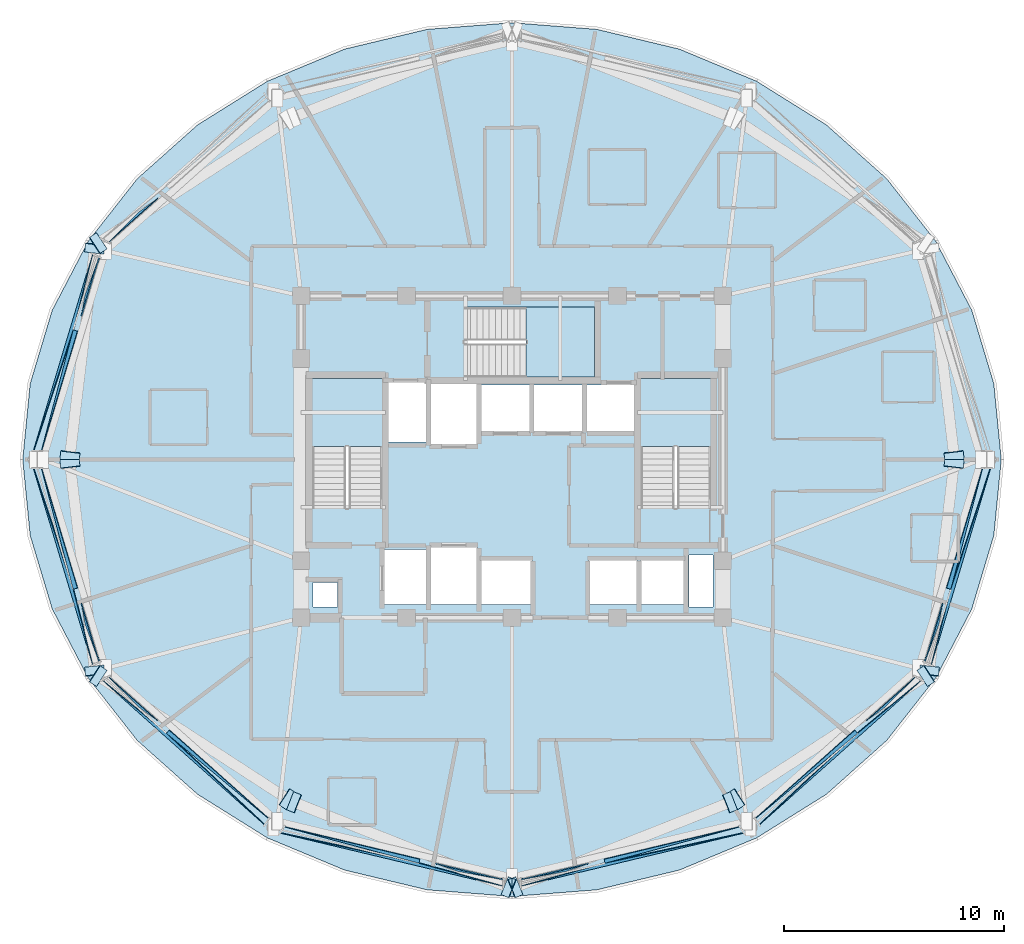
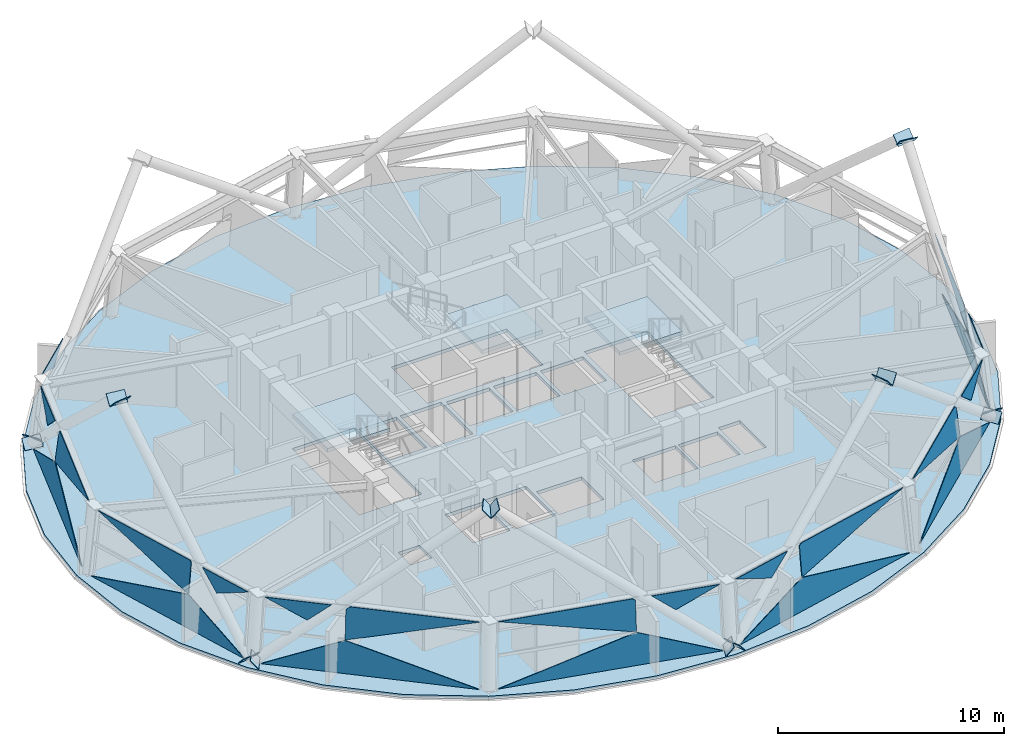
# One storey, part 3 of 12: 38 plates, 4 slabs, 11 elements without a shape of their own.
"""IFC4 building model written with IfcOpenShell, lengths in metres."""

from ifc_helpers import new_model, si_unit, direction, frame, origin, place, context, subcontext, project, spatial, polyline, outline, extrude, material, layer, layer_set, type_object, element, aggregate, save


model = new_model("IFC4")

# Units and contexts
model_context = context("Model", 3, precision=1e-05, world=origin(), true_north=direction((0.0, 1.0)))
body_context = subcontext(model_context, "Body", "Model", "MODEL_VIEW")
ifc_project = project(units=[si_unit("LENGTHUNIT", "METRE"), si_unit("AREAUNIT", "SQUARE_METRE"), si_unit("VOLUMEUNIT", "CUBIC_METRE"), si_unit("PLANEANGLEUNIT", "RADIAN"), si_unit("MASSUNIT", "GRAM", prefix="KILO")], contexts=[model_context])

# Site, building, storey
site_placement = place(None, origin())
site = spatial("IfcSite", under=ifc_project, at=site_placement, CompositionType="ELEMENT")
building_placement = place(site_placement, origin())
building = spatial("IfcBuilding", under=site, at=building_placement, Name="Vantalir Tower", CompositionType="ELEMENT")
storey_placement = place(building_placement, frame((0.0, 0.0, 249.89990234375)))
storey = spatial("IfcBuildingStorey", under=building, at=storey_placement, Name="L63", CompositionType="ELEMENT", Elevation=249.89990234375)

# Curtain wall, plate
ifc_material_1 = material(Name="Champagne-silver PVDF aluminium and double-silver Low-E glass", Category="aluminium")
ifc_layer_1 = layer(ifc_material_1, 0.2099609375)
ifc_layer_set_1 = layer_set([ifc_layer_1], Name="Champagne-silver PVDF aluminium and double-silver Low-E glass")
curtain_wall_type = type_object("IfcCurtainWallType", Name="CW-DIAMOND-Z3", PredefinedType="USERDEFINED", material=ifc_layer_set_1)
curtain_wall_1_placement = place(storey_placement, origin())
curtain_wall_1 = element("IfcCurtainWall", 1, at=curtain_wall_1_placement, inside=storey, type_object=curtain_wall_type, Name="L63 Quilted Pyramid-Diamond Curtain Wall S05", ObjectType="UNITISED CURTAIN WALL", PredefinedType="USERDEFINED")
ifc_material_2 = material(Name="Double-silver Low-E acoustic glass IGU", Category="glass")
ifc_layer_2 = layer(ifc_material_2, 0.031982421875)
ifc_layer_set_2 = layer_set([ifc_layer_2], Name="Double-silver Low-E acoustic glass IGU")
plate_type_1 = type_object("IfcPlateType", Name="CWP-IGU-32", PredefinedType="CURTAIN_PANEL", material=ifc_layer_set_2)
plate_1_placement = place(storey_placement, frame((15.381103515625, 36.904052734375, 3.457275390625), z_axis=(-0.66110275605, 0.741983208116, 0.111373537326), x_axis=(-0.746628270205, -0.665241479562, 0.0)))
plate_1 = element("IfcPlate", 2, at=plate_1_placement, type_object=plate_type_1, Name="CW-L63-S05 Pyramid Diamond Facet 2U Infill Light", PredefinedType="CURTAIN_PANEL", context=body_context, shape_type="SweptSolid", body=[
    extrude(outline(polyline([(0.0, 0.0), (3.002757126727058, 0.0), (1.060435821909652, -0.9028336729487632), (0.0, 0.0)])), origin(), (0.0, 0.0, -1.0), 0.031982421875),
])
aggregate(curtain_wall_1, [plate_1])

# Curtain wall, plates
curtain_wall_2_placement = place(storey_placement, origin())
curtain_wall_2 = element("IfcCurtainWall", 3, at=curtain_wall_2_placement, inside=storey, type_object=curtain_wall_type, Name="L63 Quilted Pyramid-Diamond Curtain Wall S06", ObjectType="UNITISED CURTAIN WALL", PredefinedType="USERDEFINED")
plate_2_placement = place(storey_placement, frame((12.40478515625, 34.35400390625, 0.047119140625), z_axis=(-0.953854313041, 0.286801968959, 0.08891895239), x_axis=(-0.287944782305, -0.95764701308, -2.6131662e-05)))
plate_2 = element("IfcPlate", 4, at=plate_2_placement, type_object=plate_type_1, Name="CW-L63-S06 Pyramid Diamond Facet 1L", PredefinedType="CURTAIN_PANEL", context=body_context, shape_type="SweptSolid", body=[
    extrude(outline(polyline([(0.0, 0.0), (9.342713298506363, -4.0115480381963664e-18), (3.5550676247993303, 1.6972456074696152), (0.0, 0.0)])), origin(), (0.0, 0.0, -1.0), 0.031982421875),
])
plate_3_placement = place(storey_placement, frame((11.69091796875, 30.7568359375, 3.453125), z_axis=(-0.951113267176, 0.285986994839, 0.116597563374), x_axis=(-0.287946222216, -0.957646579525, 4.2841491e-05)))
plate_3 = element("IfcPlate", 5, at=plate_3_placement, type_object=plate_type_1, Name="CW-L63-S06 Pyramid Diamond Facet 2U", PredefinedType="CURTAIN_PANEL", context=body_context, shape_type="SweptSolid", body=[
    extrude(outline(polyline([(0.0, 0.0), (5.5864714839249086, -3.865180744910823e-17), (-0.09540370381779475, -1.7020347678303864), (-0.09531226683348373, -0.0880033176376334), (0.0, 0.0)])), origin(), (0.0, 0.0, -1.0), 0.031982421875),
])
plate_4_placement = place(storey_placement, frame((12.689208984375, 34.200439453125, 3.457275390625), z_axis=(-0.951086805979, 0.285981361136, 0.116827002764), x_axis=(-0.28795318389, -0.957644487212, 0.0)))
plate_4 = element("IfcPlate", 6, at=plate_4_placement, type_object=plate_type_1, Name="CW-L63-S06 Pyramid Diamond Facet 2U Infill Light", PredefinedType="CURTAIN_PANEL", context=body_context, shape_type="SweptSolid", body=[
    extrude(outline(polyline([(0.0, 0.0), (2.7750075718200757, 0.0), (1.8161941923853795, -0.8857037229028175), (0.0, 0.0)])), origin(), (0.0, 0.0, -1.0), 0.031982421875),
])
aggregate(curtain_wall_2, [plate_2, plate_3, plate_4])

curtain_wall_3_placement = place(storey_placement, origin())
curtain_wall_3 = element("IfcCurtainWall", 7, at=curtain_wall_3_placement, inside=storey, type_object=curtain_wall_type, Name="L63 Quilted Pyramid-Diamond Curtain Wall S07", ObjectType="UNITISED CURTAIN WALL", PredefinedType="USERDEFINED")
plate_5_placement = place(storey_placement, frame((9.714599609375, 24.593017578125, 0.046875), z_axis=(-0.953857751116, -0.286771700087, 0.088979675571), x_axis=(0.287915961893, -0.957655678313, 2.6129046e-05)))
plate_5 = element("IfcPlate", 8, at=plate_5_placement, type_object=plate_type_1, Name="CW-L63-S07 Pyramid Diamond Facet 1L", PredefinedType="CURTAIN_PANEL", context=body_context, shape_type="SweptSolid", body=[
    extrude(outline(polyline([(0.0, 0.0), (9.343648504898855, -4.637674792806745e-17), (5.787874927480725, 1.6972548570963364), (0.0, 0.0)])), origin(), (0.0, 0.0, -1.0), 0.031982421875),
])
plate_6_placement = place(storey_placement, frame((10.082275390625, 24.593017578125, 3.453369140625), z_axis=(-0.951090462744, -0.286006977973, 0.116734486028), x_axis=(0.287970881119, -0.957639164665, -4.3902146e-05)))
plate_6 = element("IfcPlate", 9, at=plate_6_placement, type_object=plate_type_1, Name="CW-L63-S07 Pyramid Diamond Facet 2U", PredefinedType="CURTAIN_PANEL", context=body_context, shape_type="SweptSolid", body=[
    extrude(outline(polyline([(0.0, 0.0), (5.587009385768637, 1.054386612742153e-17), (5.682087670656996, -0.08775284023588353), (5.682339467035578, -1.7020622333518582), (0.0, 0.0)])), origin(), (0.0, 0.0, -1.0), 0.031982421875),
])
plate_7_placement = place(storey_placement, frame((11.89013671875, 18.456298828125, 3.457275390625), z_axis=(-0.951094038539, -0.286062377149, 0.116569491011), x_axis=(0.288025983349, -0.957622594197, 0.0)))
plate_7 = element("IfcPlate", 10, at=plate_7_placement, type_object=plate_type_1, Name="CW-L63-S07 Pyramid Diamond Facet 2U Infill Light", PredefinedType="CURTAIN_PANEL", context=body_context, shape_type="SweptSolid", body=[
    extrude(outline(polyline([(0.0, 0.0), (2.774306180065617, -1.3877787807814457e-17), (0.9586420348101915, -0.8856767394003059), (0.0, 0.0)])), origin(), (0.0, 0.0, -1.0), 0.031982421875),
])
aggregate(curtain_wall_3, [plate_5, plate_6, plate_7])

curtain_wall_4_placement = place(storey_placement, origin())
curtain_wall_4 = element("IfcCurtainWall", 11, at=curtain_wall_4_placement, inside=storey, type_object=curtain_wall_type, Name="L63 Quilted Pyramid-Diamond Curtain Wall S08", ObjectType="UNITISED CURTAIN WALL", PredefinedType="USERDEFINED")
plate_8_placement = place(storey_placement, frame((12.84423828125, 14.95556640625, 0.046875), z_axis=(-0.662892854323, -0.743965135266, 0.084195850233), x_axis=(0.746614813363, -0.665256581973, -2.4683929e-05)))
plate_8 = element("IfcPlate", 12, at=plate_8_placement, type_object=plate_type_1, Name="CW-L63-S08 Pyramid Diamond Facet 1L", PredefinedType="CURTAIN_PANEL", context=body_context, shape_type="SweptSolid", body=[
    extrude(outline(polyline([(0.0, 0.0), (9.89067100224938, -7.291259609965017e-17), (3.7890848977774465, 1.6970372956950805), (0.0, 0.0)])), origin(), (0.0, 0.0, -1.0), 0.031982421875),
])
plate_9_placement = place(storey_placement, frame((16.03759765625, 12.558837890625, 3.453369140625), z_axis=(-0.661105093077, -0.741968711433, 0.111456211859), x_axis=(0.746620642567, -0.66525004028, -5.1766e-08)))
plate_9 = element("IfcPlate", 13, at=plate_9_placement, type_object=plate_type_1, Name="CW-L63-S08 Pyramid Diamond Facet 2U", PredefinedType="CURTAIN_PANEL", context=body_context, shape_type="SweptSolid", body=[
    extrude(outline(polyline([(0.0, 0.0), (5.859738600574939, -1.6653345369377348e-16), (-0.1893847322004912, -1.701765229694908), (-0.18934521439034127, -0.16116069971162253), (0.0, 0.0)])), origin(), (0.0, 0.0, -1.0), 0.031982421875),
])
plate_10_placement = place(storey_placement, frame((13.13916015625, 15.093505859375, 3.457275390625), z_axis=(-0.661094452073, -0.74196400438, 0.111550623677), x_axis=(0.746623868663, -0.665246419564, 0.0)))
plate_10 = element("IfcPlate", 14, at=plate_10_placement, type_object=plate_type_1, Name="CW-L63-S08 Pyramid Diamond Facet 2U Infill Light", PredefinedType="CURTAIN_PANEL", context=body_context, shape_type="SweptSolid", body=[
    extrude(outline(polyline([(0.0, 0.0), (3.0031018215559184, 0.0), (1.9428290786402413, -0.9030973917536178), (0.0, 0.0)])), origin(), (0.0, 0.0, -1.0), 0.031982421875),
])
aggregate(curtain_wall_4, [plate_8, plate_9, plate_10])

curtain_wall_5_placement = place(storey_placement, origin())
curtain_wall_5 = element("IfcCurtainWall", 15, at=curtain_wall_5_placement, inside=storey, type_object=curtain_wall_type, Name="L63 Quilted Pyramid-Diamond Curtain Wall S09", ObjectType="UNITISED CURTAIN WALL", PredefinedType="USERDEFINED")
plate_11_placement = place(storey_placement, frame((20.959228515625, 7.994384765625, 0.046630859375), z_axis=(-0.231537011149, -0.969567811656, 0.079554202078), x_axis=(0.97265102148, -0.232271371168, 2.3447544e-05)))
plate_11 = element("IfcPlate", 16, at=plate_11_placement, type_object=plate_type_1, Name="CW-L63-S09 Pyramid Diamond Facet 1L", PredefinedType="CURTAIN_PANEL", context=body_context, shape_type="SweptSolid", body=[
    extrude(outline(polyline([(0.0, 0.0), (10.41220456525102, -3.0113715340784886e-17), (6.44826400917512, 1.6966324602909038), (0.0, 0.0)])), origin(), (0.0, 0.0, -1.0), 0.031982421875),
])
plate_12_placement = place(storey_placement, frame((21.143310546875, 8.279052734375, 3.45361328125), z_axis=(-0.230927583598, -0.967033833025, 0.107322024386), x_axis=(0.972650567383, -0.232273270501, -3.9748322e-05)))
plate_12 = element("IfcPlate", 17, at=plate_12_placement, type_object=plate_type_1, Name="CW-L63-S09 Pyramid Diamond Facet 2U", PredefinedType="CURTAIN_PANEL", context=body_context, shape_type="SweptSolid", body=[
    extrude(outline(polyline([(0.0, 0.0), (6.224441190826068, 1.3552527156068805e-19), (6.335489107151419, -0.09232241608423492), (6.335623313282104, -1.7009820325009355), (0.0, 0.0)])), origin(), (0.0, 0.0, -1.0), 0.031982421875),
])
plate_13_placement = place(storey_placement, frame((28.025390625, 6.598876953125, 3.457275390625), z_axis=(-0.230986073749, -0.967017359301, 0.107344587868), x_axis=(0.972637378319, -0.232328496524, 0.0)))
plate_13 = element("IfcPlate", 18, at=plate_13_placement, type_object=plate_type_1, Name="CW-L63-S09 Pyramid Diamond Facet 2U Infill Light", PredefinedType="CURTAIN_PANEL", context=body_context, shape_type="SweptSolid", body=[
    extrude(outline(polyline([(0.0, 0.0), (3.1388661218247003, 0.0), (1.081335859637997, -0.9002211201754972), (0.0, 0.0)])), origin(), (0.0, 0.0, -1.0), 0.031982421875),
])
aggregate(curtain_wall_5, [plate_11, plate_12, plate_13])

curtain_wall_6_placement = place(storey_placement, origin())
curtain_wall_6 = element("IfcCurtainWall", 19, at=curtain_wall_6_placement, inside=storey, type_object=curtain_wall_type, Name="L63 Quilted Pyramid-Diamond Curtain Wall S10", ObjectType="UNITISED CURTAIN WALL", PredefinedType="USERDEFINED")
plate_14_placement = place(storey_placement, frame((31.913330078125, 5.575927734375, 0.046875), z_axis=(0.231537011149, -0.969567811656, 0.079554202078), x_axis=(0.97265102148, 0.232271371168, -2.3447544e-05)))
plate_14 = element("IfcPlate", 20, at=plate_14_placement, type_object=plate_type_1, Name="CW-L63-S10 Pyramid Diamond Facet 1L", PredefinedType="CURTAIN_PANEL", context=body_context, shape_type="SweptSolid", body=[
    extrude(outline(polyline([(0.0, 0.0), (10.41220456525102, 3.0113715340784886e-17), (3.9639405560758996, 1.696632460290904), (0.0, 0.0)])), origin(), (0.0, 0.0, -1.0), 0.031982421875),
])
plate_15_placement = place(storey_placement, frame((35.802490234375, 6.833251953125, 3.453369140625), z_axis=(0.230927583598, -0.967033833025, 0.107322024386), x_axis=(0.972650567383, 0.232273270501, 3.9748322e-05)))
plate_15 = element("IfcPlate", 21, at=plate_15_placement, type_object=plate_type_1, Name="CW-L63-S10 Pyramid Diamond Facet 2U", PredefinedType="CURTAIN_PANEL", context=body_context, shape_type="SweptSolid", body=[
    extrude(outline(polyline([(0.0, 0.0), (6.224441190826068, -1.3552527156068805e-19), (-0.11118212245603659, -1.7009820325009355), (-0.11104791632535135, -0.09232241608423494), (0.0, 0.0)])), origin(), (0.0, 0.0, -1.0), 0.031982421875),
])
plate_16_placement = place(storey_placement, frame((31.921630859375, 5.86962890625, 3.457275390625), z_axis=(0.230986073749, -0.967017359301, 0.107344587868), x_axis=(0.972637378319, 0.232328496524, 0.0)))
plate_16 = element("IfcPlate", 22, at=plate_16_placement, type_object=plate_type_1, Name="CW-L63-S10 Pyramid Diamond Facet 2U Infill Light", PredefinedType="CURTAIN_PANEL", context=body_context, shape_type="SweptSolid", body=[
    extrude(outline(polyline([(0.0, 0.0), (3.1388661218247003, 0.0), (2.057530262186703, -0.9002211201754972), (0.0, 0.0)])), origin(), (0.0, 0.0, -1.0), 0.031982421875),
])
aggregate(curtain_wall_6, [plate_14, plate_15, plate_16])

curtain_wall_7_placement = place(storey_placement, origin())
curtain_wall_7 = element("IfcCurtainWall", 23, at=curtain_wall_7_placement, inside=storey, type_object=curtain_wall_type, Name="L63 Quilted Pyramid-Diamond Curtain Wall S11", ObjectType="UNITISED CURTAIN WALL", PredefinedType="USERDEFINED")
plate_17_placement = place(storey_placement, frame((42.771240234375, 8.375732421875, 0.046630859375), z_axis=(0.662892854323, -0.743965135266, 0.084195850233), x_axis=(0.746614813363, 0.665256581973, 2.4683929e-05)))
plate_17 = element("IfcPlate", 24, at=plate_17_placement, type_object=plate_type_1, Name="CW-L63-S11 Pyramid Diamond Facet 1L", PredefinedType="CURTAIN_PANEL", context=body_context, shape_type="SweptSolid", body=[
    extrude(outline(polyline([(0.0, 0.0), (9.89067100224938, 7.291259609965017e-17), (6.101586104471935, 1.6970372956950808), (0.0, 0.0)])), origin(), (0.0, 0.0, -1.0), 0.031982421875),
])
plate_18_placement = place(storey_placement, frame((42.58740234375, 8.66064453125, 3.453369140625), z_axis=(0.661105093077, -0.741968711433, 0.111456211859), x_axis=(0.746620642567, 0.66525004028, 5.1766e-08)))
plate_18 = element("IfcPlate", 25, at=plate_18_placement, type_object=plate_type_1, Name="CW-L63-S11 Pyramid Diamond Facet 2U", PredefinedType="CURTAIN_PANEL", context=body_context, shape_type="SweptSolid", body=[
    extrude(outline(polyline([(0.0, 0.0), (5.859738600574939, 1.6653345369377348e-16), (6.049083814965281, -0.1611606997116224), (6.04912333277543, -1.7017652296949077), (0.0, 0.0)])), origin(), (0.0, 0.0, -1.0), 0.031982421875),
])
plate_19_placement = place(storey_placement, frame((47.61865234375, 13.095703125, 3.457275390625), z_axis=(0.661094452073, -0.74196400438, 0.111550623677), x_axis=(0.746623868663, 0.665246419564, 0.0)))
plate_19 = element("IfcPlate", 26, at=plate_19_placement, type_object=plate_type_1, Name="CW-L63-S11 Pyramid Diamond Facet 2U Infill Light", PredefinedType="CURTAIN_PANEL", context=body_context, shape_type="SweptSolid", body=[
    extrude(outline(polyline([(0.0, 0.0), (3.0031018215559184, 0.0), (1.0602727429156773, -0.9030973917536178), (0.0, 0.0)])), origin(), (0.0, 0.0, -1.0), 0.031982421875),
])
aggregate(curtain_wall_7, [plate_17, plate_18, plate_19])

curtain_wall_8_placement = place(storey_placement, origin())
curtain_wall_8 = element("IfcCurtainWall", 27, at=curtain_wall_8_placement, inside=storey, type_object=curtain_wall_type, Name="L63 Quilted Pyramid-Diamond Curtain Wall S12", ObjectType="UNITISED CURTAIN WALL", PredefinedType="USERDEFINED")
plate_20_placement = place(storey_placement, frame((50.59521484375, 15.64501953125, 0.047119140625), z_axis=(0.953857751116, -0.286771700087, 0.088979675571), x_axis=(0.287915961893, 0.957655678313, -2.6129046e-05)))
plate_20 = element("IfcPlate", 28, at=plate_20_placement, type_object=plate_type_1, Name="CW-L63-S12 Pyramid Diamond Facet 1L", PredefinedType="CURTAIN_PANEL", context=body_context, shape_type="SweptSolid", body=[
    extrude(outline(polyline([(0.0, 0.0), (9.343648504898855, 4.637674792806745e-17), (3.5557735774181305, 1.6972548570963364), (0.0, 0.0)])), origin(), (0.0, 0.0, -1.0), 0.031982421875),
])
plate_21_placement = place(storey_placement, frame((51.308837890625, 19.24267578125, 3.453125), z_axis=(0.951090462744, -0.286006977973, 0.116734486028), x_axis=(0.287970881119, 0.957639164665, 4.3902146e-05)))
plate_21 = element("IfcPlate", 29, at=plate_21_placement, type_object=plate_type_1, Name="CW-L63-S12 Pyramid Diamond Facet 2U", PredefinedType="CURTAIN_PANEL", context=body_context, shape_type="SweptSolid", body=[
    extrude(outline(polyline([(0.0, 0.0), (5.587009385768637, -1.054386612742153e-17), (-0.09533008126694073, -1.702062233351858), (-0.09507828488835904, -0.08775284023588356), (0.0, 0.0)])), origin(), (0.0, 0.0, -1.0), 0.031982421875),
])
plate_22_placement = place(storey_placement, frame((50.310791015625, 15.799560546875, 3.457275390625), z_axis=(0.951094038539, -0.286062377149, 0.116569491011), x_axis=(0.288025983349, 0.957622594197, 0.0)))
plate_22 = element("IfcPlate", 30, at=plate_22_placement, type_object=plate_type_1, Name="CW-L63-S12 Pyramid Diamond Facet 2U Infill Light", PredefinedType="CURTAIN_PANEL", context=body_context, shape_type="SweptSolid", body=[
    extrude(outline(polyline([(0.0, 0.0), (2.774306180065617, 1.3877787807814457e-17), (1.8156641452554254, -0.8856767394003059), (0.0, 0.0)])), origin(), (0.0, 0.0, -1.0), 0.031982421875),
])
aggregate(curtain_wall_8, [plate_20, plate_21, plate_22])

# Plates
ifc_material_3 = material(Name="Steel S460", Category="steel")
ifc_layer_3 = layer(ifc_material_3, 0.035888671875)
ifc_layer_set_3 = layer_set([ifc_layer_3], Name="Steel S460")
plate_type_2 = type_object("IfcPlateType", Name="PLT-KN-Z2", PredefinedType="USERDEFINED", material=ifc_layer_set_3)
plate_23_placement = place(storey_placement, frame((51.209228515625, 24.8974609375, 8.5458984375), z_axis=(0.088425331945, -0.739425848205, 0.667405705458), x_axis=(0.992925328274, 0.118740441604, 0.0)))
element("IfcPlate", 31, at=plate_23_placement, inside=storey, type_object=plate_type_2, Name="Node Cap Plate MEM-DG-L63-R04R End", ObjectType="FLANGE_PLATE", PredefinedType="USERDEFINED", context=body_context, shape_type="SweptSolid", body=[
    extrude(outline(polyline([(0.0, 0.0), (0.8800050436764012, 0.0), (0.8798471600051996, 0.5802768961035265), (-0.00015788367120146696, 0.5802768961035265), (0.0, 0.0)])), origin(), (0.0, 0.0, -1.0), 0.035888671875),
])
plate_24_placement = place(storey_placement, frame((12.046875, 34.452392578125, 0.016357421875), z_axis=(-0.088403068755, -0.739239680082, 0.66761485366), x_axis=(0.992925328274, -0.118740441604, 0.0)))
element("IfcPlate", 32, at=plate_24_placement, inside=storey, type_object=plate_type_2, Name="Node Cap Plate MEM-DG-L63-R16L Start", ObjectType="FLANGE_PLATE", PredefinedType="USERDEFINED", context=body_context, shape_type="SweptSolid", body=[
    extrude(outline(polyline([(0.0, 0.0), (0.8800050436764012, 1.3877787807814457e-17), (0.8801629273476026, 0.5800951088517146), (0.00015788367120146403, 0.5800951088517146), (0.0, 0.0)])), origin(), (0.0, 0.0, -1.0), 0.035888671875),
])
plate_25_placement = place(storey_placement, frame((10.9169921875, 25.001953125, 8.5458984375), z_axis=(-0.088425331945, -0.739425848205, 0.667405705458), x_axis=(0.992925328274, -0.118740441604, 0.0)))
element("IfcPlate", 33, at=plate_25_placement, inside=storey, type_object=plate_type_2, Name="Node Cap Plate MEM-DG-L63-R16L End", ObjectType="FLANGE_PLATE", PredefinedType="USERDEFINED", context=body_context, shape_type="SweptSolid", body=[
    extrude(outline(polyline([(0.0, 0.0), (0.8800050436764012, 0.0), (0.8801629273476026, 0.5802768961035265), (0.00015788367120146696, 0.5802768961035265), (0.0, 0.0)])), origin(), (0.0, 0.0, -1.0), 0.035888671875),
])
plate_26_placement = place(storey_placement, frame((13.069091796875, 34.58837890625, 0.002685546875), z_axis=(0.645433268612, 0.419008531145, 0.638629584811), x_axis=(-0.544550191621, 0.838728254882, 5.7178675e-05)))
element("IfcPlate", 34, at=plate_26_placement, inside=storey, type_object=plate_type_2, Name="Node Cap Plate MEM-DG-L63-R16R Start", ObjectType="FLANGE_PLATE", PredefinedType="USERDEFINED", context=body_context, shape_type="SweptSolid", body=[
    extrude(outline(polyline([(0.0, 0.0), (0.8799871925434604, 5.551115123125783e-17), (0.8799830001183655, 0.5798966298169059), (0.00012875439903124706, 0.5800273946408394), (0.0, 0.0)])), origin(), (0.0, 0.0, -1.0), 0.035888671875),
])
for number, where, z_axis, x_axis, name in (
    (35, (12.590087890625, 14.672607421875, 0.002685546875), (0.645409246068, -0.418886186168, 0.638734113796), (0.54441278356, 0.838817453977, 0.0), "Node Cap Plate MEM-DG-L63-R22L Start"),
    (36, (21.221923828125, 9.070556640625, 8.54443359375), (0.645409246068, -0.418886186168, 0.638734113796), (0.54441278356, 0.838817453977, 0.0), "Node Cap Plate MEM-DG-L63-R22L End"),
):
    element("IfcPlate", number, at=place(storey_placement, frame(where, z_axis=z_axis, x_axis=x_axis)), inside=storey, type_object=plate_type_2, Name=name, ObjectType="FLANGE_PLATE", PredefinedType="USERDEFINED", context=body_context, shape_type="SweptSolid", body=[
        extrude(outline(polyline([(0.0, 0.0), (0.8798542589641564, 0.0), (0.8798117158764375, 0.5800274127221988), (-4.25430877188937e-05, 0.5800274127221989), (0.0, 0.0)])), origin(), (0.0, 0.0, -1.0), 0.035888671875),
    ])
plate_27_placement = place(storey_placement, frame((12.920654296875, 15.65087890625, 0.016357421875), z_axis=(-0.088313568597, 0.739354998853, 0.667498988219), x_axis=(-0.992948948378, -0.118542740089, -6.8460933e-05)))
element("IfcPlate", 37, at=plate_27_placement, inside=storey, type_object=plate_type_2, Name="Node Cap Plate MEM-DG-L63-R22R Start", ObjectType="FLANGE_PLATE", PredefinedType="USERDEFINED", context=body_context, shape_type="SweptSolid", body=[
    extrude(outline(polyline([(0.0, 0.0), (0.8799760830721277, 0.0), (0.879711521794482, 0.5800950629876186), (-0.0002935023763003716, 0.579933246956265), (0.0, 0.0)])), origin(), (0.0, 0.0, -1.0), 0.035888671875),
])
plate_28_placement = place(storey_placement, frame((11.790771484375, 25.102294921875, 8.5458984375), z_axis=(-0.088335801526, 0.739541131369, 0.667289817982), x_axis=(-0.99294894382, -0.118542778275, -6.8456709e-05)))
element("IfcPlate", 38, at=plate_28_placement, inside=storey, type_object=plate_type_2, Name="Node Cap Plate MEM-DG-L63-R22R End", ObjectType="FLANGE_PLATE", PredefinedType="USERDEFINED", context=body_context, shape_type="SweptSolid", body=[
    extrude(outline(polyline([(0.0, 0.0), (0.879976083069797, -1.3877787807814457e-17), (0.8797115217968119, 0.5802768502502663), (-0.000293502380962473, 0.5801150849262513), (0.0, 0.0)])), origin(), (0.0, 0.0, -1.0), 0.035888671875),
])
plate_29_placement = place(storey_placement, frame((31.99658203125, 5.2001953125, -0.0009765625), z_axis=(0.721306305896, 0.285272716236, 0.63113920053), x_axis=(-0.367804956498, 0.929902958657, 3.8171627e-05)))
element("IfcPlate", 39, at=plate_29_placement, inside=storey, type_object=plate_type_2, Name="Node Cap Plate MEM-DG-L63-R28L Start", ObjectType="FLANGE_PLATE", PredefinedType="USERDEFINED", context=body_context, shape_type="SweptSolid", body=[
    extrude(outline(polyline([(0.0, 0.0), (0.8800644750325953, 0.0), (0.8799385049368356, 0.5800376742475654), (0.00019085312571357708, 0.5801242767038503), (0.0, 0.0)])), origin(), (0.0, 0.0, -1.0), 0.035888671875),
])
plate_30_placement = place(storey_placement, frame((41.763427734375, 9.0634765625, 8.5439453125), z_axis=(0.721306305896, 0.285272716236, 0.63113920053), x_axis=(-0.367747181463, 0.929925808367, -3.8185373e-05)))
element("IfcPlate", 40, at=plate_30_placement, inside=storey, type_object=plate_type_2, Name="Node Cap Plate MEM-DG-L63-R28L End", ObjectType="FLANGE_PLATE", PredefinedType="USERDEFINED", context=body_context, shape_type="SweptSolid", body=[
    extrude(outline(polyline([(0.0, 0.0), (0.8797476560736996, 2.7755575615628914e-17), (0.8798814017007122, 0.5801242926806188), (-0.00018306906777054, 0.5800376590366405), (0.0, 0.0)])), origin(), (0.0, 0.0, -1.0), 0.035888671875),
])
plate_31_placement = place(storey_placement, frame((31.3271484375, 6.0185546875, -0.0009765625), z_axis=(-0.721306305896, 0.285272716236, 0.63113920053), x_axis=(-0.367804956498, -0.929902958657, -3.8171627e-05)))
element("IfcPlate", 41, at=plate_31_placement, inside=storey, type_object=plate_type_2, Name="Node Cap Plate MEM-DG-L63-R28R Start", ObjectType="FLANGE_PLATE", PredefinedType="USERDEFINED", context=body_context, shape_type="SweptSolid", body=[
    extrude(outline(polyline([(0.0, 0.0), (0.8800644750325953, 0.0), (0.8798736219068819, 0.5801242767038504), (0.00012597009575975645, 0.5800376742475652), (0.0, 0.0)])), origin(), (0.0, 0.0, -1.0), 0.035888671875),
])
plate_32_placement = place(storey_placement, frame((21.56005859375, 9.881591796875, 8.5439453125), z_axis=(-0.721306305896, 0.285272716236, 0.63113920053), x_axis=(-0.367747181463, -0.929925808367, 3.8185373e-05)))
element("IfcPlate", 42, at=plate_32_placement, inside=storey, type_object=plate_type_2, Name="Node Cap Plate MEM-DG-L63-R28R End", ObjectType="FLANGE_PLATE", PredefinedType="USERDEFINED", context=body_context, shape_type="SweptSolid", body=[
    extrude(outline(polyline([(0.0, 0.0), (0.8797476560736996, -2.7755575615628914e-17), (0.8799307251414702, 0.5800376590366405), (-0.00013374562701235648, 0.5801242926806187), (0.0, 0.0)])), origin(), (0.0, 0.0, -1.0), 0.035888671875),
])
plate_33_placement = place(storey_placement, frame((50.953125, 15.546630859375, 0.016357421875), z_axis=(0.088313568597, 0.739354998853, 0.667498988219), x_axis=(-0.992948948378, 0.118542740089, 6.8460933e-05)))
element("IfcPlate", 43, at=plate_33_placement, inside=storey, type_object=plate_type_2, Name="Node Cap Plate MEM-DG-L63-R34L Start", ObjectType="FLANGE_PLATE", PredefinedType="USERDEFINED", context=body_context, shape_type="SweptSolid", body=[
    extrude(outline(polyline([(0.0, 0.0), (0.8799760830721277, 0.0), (0.880269585448428, 0.579933246956265), (0.0002645612776457687, 0.5800950629876186), (0.0, 0.0)])), origin(), (0.0, 0.0, -1.0), 0.035888671875),
])
plate_34_placement = place(storey_placement, frame((52.0830078125, 24.998046875, 8.5458984375), z_axis=(0.088335801526, 0.739541131369, 0.667289817982), x_axis=(-0.99294894382, 0.118542778275, 6.8456709e-05)))
element("IfcPlate", 44, at=plate_34_placement, inside=storey, type_object=plate_type_2, Name="Node Cap Plate MEM-DG-L63-R34L End", ObjectType="FLANGE_PLATE", PredefinedType="USERDEFINED", context=body_context, shape_type="SweptSolid", body=[
    extrude(outline(polyline([(0.0, 0.0), (0.879976083069797, 1.3877787807814457e-17), (0.8802695854507596, 0.5801150849262514), (0.00026456127298514693, 0.5802768502502663), (0.0, 0.0)])), origin(), (0.0, 0.0, -1.0), 0.035888671875),
])
for number, where, z_axis, x_axis, name in (
    (45, (49.930908203125, 15.41064453125, 0.002685546875), (-0.645409246068, -0.418886186168, 0.638734113796), (0.54441278356, -0.838817453977, 0.0), "Node Cap Plate MEM-DG-L63-R34R Start"),
    (46, (41.299072265625, 9.80859375, 8.54443359375), (-0.645409246068, -0.418886186168, 0.638734113796), (0.54441278356, -0.838817453977, 0.0), "Node Cap Plate MEM-DG-L63-R34R End"),
):
    element("IfcPlate", number, at=place(storey_placement, frame(where, z_axis=z_axis, x_axis=x_axis)), inside=storey, type_object=plate_type_2, Name=name, ObjectType="FLANGE_PLATE", PredefinedType="USERDEFINED", context=body_context, shape_type="SweptSolid", body=[
        extrude(outline(polyline([(0.0, 0.0), (0.8798542589641564, 0.0), (0.8798968020518753, 0.5800274127221988), (4.25430877188937e-05, 0.5800274127221989), (0.0, 0.0)])), origin(), (0.0, 0.0, -1.0), 0.035888671875),
    ])

# Stair, slab
ifc_material_4 = material(Name="Concrete C40/50", Category="concrete")
stair_type = type_object("IfcStairType", Name="STR-CORE-1450", PredefinedType="HALF_TURN_STAIR", material=ifc_material_4)
stair_1_placement = place(storey_placement, origin())
stair_1 = element("IfcStair", 47, at=stair_1_placement, inside=storey, type_object=stair_type, Name="L63 Core Exit Stair 1", PredefinedType="HALF_TURN_STAIR")
ifc_layer_4 = layer(ifc_material_4, 0.199951171875)
ifc_layer_set_4 = layer_set([ifc_layer_4], Name="Concrete C40/50")
slab_type_1 = type_object("IfcSlabType", Name="SL-LAND-200", PredefinedType="LANDING", material=ifc_layer_set_4)
slab_1_placement = place(storey_placement, frame((0.0, 0.0, 1.675048828125)))
slab_1 = element("IfcSlab", 48, at=slab_1_placement, type_object=slab_type_1, Name="ST1 landing 1", PredefinedType="LANDING", context=body_context, shape_type="SweptSolid", body=[
    extrude(outline(polyline([(25.60009765625, 25.590087890625), (25.60009765625, 28.699951171875), (22.39990234375, 28.699951171875), (22.39990234375, 25.590087890625), (25.60009765625, 25.590087890625)])), origin(), (0.0, 0.0, 1.0), 0.199951171875),
])
aggregate(stair_1, [slab_1])

stair_2_placement = place(storey_placement, origin())
stair_2 = element("IfcStair", 49, at=stair_2_placement, inside=storey, type_object=stair_type, Name="L63 Core Exit Stair 2", PredefinedType="HALF_TURN_STAIR")
slab_2_placement = place(storey_placement, frame((0.0, 0.0, 1.675048828125)))
slab_2 = element("IfcSlab", 50, at=slab_2_placement, type_object=slab_type_1, Name="ST2 landing 1", PredefinedType="LANDING", context=body_context, shape_type="SweptSolid", body=[
    extrude(outline(polyline([(40.550048828125, 25.590087890625), (40.550048828125, 28.699951171875), (37.35009765625, 28.699951171875), (37.35009765625, 25.590087890625), (40.550048828125, 25.590087890625)])), origin(), (0.0, 0.0, 1.0), 0.199951171875),
])
aggregate(stair_2, [slab_2])

stair_3_placement = place(storey_placement, origin())
stair_3 = element("IfcStair", 51, at=stair_3_placement, inside=storey, type_object=stair_type, Name="L63 Core Exit Stair 3", PredefinedType="HALF_TURN_STAIR")
slab_3_placement = place(storey_placement, frame((0.0, 0.0, 1.675048828125)))
slab_3 = element("IfcSlab", 52, at=slab_3_placement, type_object=slab_type_1, Name="ST3 landing 1", PredefinedType="LANDING", context=body_context, shape_type="SweptSolid", body=[
    extrude(outline(polyline([(32.139892578125, 28.75), (35.25, 28.75), (35.25, 31.949951171875), (32.139892578125, 31.949951171875), (32.139892578125, 28.75)])), origin(), (0.0, 0.0, 1.0), 0.199951171875),
])
aggregate(stair_3, [slab_3])

# Slab
ifc_layer_5 = layer(ifc_material_4, 0.179931640625)
ifc_layer_set_5 = layer_set([ifc_layer_5], Name="Concrete C40/50")
slab_type_2 = type_object("IfcSlabType", Name="SL-TWR-180", PredefinedType="FLOOR", material=ifc_layer_set_5)
slab_4_placement = place(storey_placement, frame((0.0, 0.0, -0.179931640625)))
element("IfcSlab", 53, at=slab_4_placement, inside=storey, type_object=slab_type_2, Name="L63 Primary Structural Slab", PredefinedType="FLOOR", context=body_context, shape_type="SweptSolid", body=[
    extrude(outline(polyline([(14.44189453125, 12.218994140625), (17.18603515625, 9.76904296875), (20.365966796875, 7.781005859375), (23.884033203125, 6.31591796875), (27.633056640625, 5.4189453125), (31.5, 5.116943359375), (35.366943359375, 5.4189453125), (39.115966796875, 6.31591796875), (42.634033203125, 7.781005859375), (45.81396484375, 9.76904296875), (48.55810546875, 12.218994140625), (50.784912109375, 15.05810546875), (52.425048828125, 18.199951171875), (53.429931640625, 21.547119140625), (53.76806640625, 25.0), (53.429931640625, 28.452880859375), (52.425048828125, 31.800048828125), (50.784912109375, 34.94091796875), (48.55810546875, 37.781005859375), (45.81396484375, 40.23095703125), (42.634033203125, 42.218994140625), (39.115966796875, 43.68408203125), (35.366943359375, 44.5810546875), (31.5, 44.883056640625), (27.633056640625, 44.5810546875), (23.884033203125, 43.68408203125), (20.365966796875, 42.218994140625), (17.18603515625, 40.23095703125), (14.44189453125, 37.781005859375), (12.215087890625, 34.94091796875), (10.574951171875, 31.800048828125), (9.570068359375, 28.452880859375), (9.23193359375, 25.0), (9.570068359375, 21.547119140625), (10.574951171875, 18.199951171875), (12.215087890625, 15.05810546875), (14.44189453125, 12.218994140625)]), holes=[polyline([(22.39990234375, 28.699951171875), (25.60009765625, 28.699951171875), (25.60009765625, 22.7900390625), (22.39990234375, 22.7900390625), (22.39990234375, 28.699951171875)]), polyline([(40.550048828125, 28.699951171875), (40.550048828125, 22.7900390625), (37.35009765625, 22.7900390625), (37.35009765625, 28.699951171875), (40.550048828125, 28.699951171875)]), polyline([(29.340087890625, 28.75), (29.340087890625, 31.949951171875), (35.25, 31.949951171875), (35.25, 28.75), (29.340087890625, 28.75)]), polyline([(25.699951171875, 18.39990234375), (25.699951171875, 20.89990234375), (27.60009765625, 20.89990234375), (27.60009765625, 18.39990234375), (25.699951171875, 18.39990234375)]), polyline([(25.699951171875, 28.5), (27.60009765625, 28.5), (27.60009765625, 25.800048828125), (25.699951171875, 25.800048828125), (25.699951171875, 28.5)]), polyline([(29.89990234375, 21.0), (29.89990234375, 18.39990234375), (27.800048828125, 18.39990234375), (27.800048828125, 21.0), (29.89990234375, 21.0)]), polyline([(29.89990234375, 25.699951171875), (27.800048828125, 25.699951171875), (27.800048828125, 28.5), (29.89990234375, 28.5), (29.89990234375, 25.699951171875)]), polyline([(30.10009765625, 18.39990234375), (30.10009765625, 20.39990234375), (32.39990234375, 20.39990234375), (32.39990234375, 18.39990234375), (30.10009765625, 18.39990234375)]), polyline([(37.35009765625, 20.39990234375), (39.35009765625, 20.39990234375), (39.35009765625, 18.39990234375), (37.35009765625, 18.39990234375), (37.35009765625, 20.39990234375)]), polyline([(37.199951171875, 20.39990234375), (37.199951171875, 18.39990234375), (35.0, 18.39990234375), (35.0, 20.39990234375), (37.199951171875, 20.39990234375)]), polyline([(32.300048828125, 26.300048828125), (30.10009765625, 26.300048828125), (30.10009765625, 28.39990234375), (32.300048828125, 28.39990234375), (32.300048828125, 26.300048828125)]), polyline([(32.5, 26.300048828125), (32.5, 28.39990234375), (34.699951171875, 28.39990234375), (34.699951171875, 26.300048828125), (32.5, 26.300048828125)]), polyline([(34.89990234375, 28.39990234375), (37.10009765625, 28.39990234375), (37.10009765625, 26.300048828125), (34.89990234375, 26.300048828125), (34.89990234375, 28.39990234375)]), polyline([(23.550048828125, 19.39990234375), (23.550048828125, 18.300048828125), (22.449951171875, 18.300048828125), (22.449951171875, 19.39990234375), (23.550048828125, 19.39990234375)]), polyline([(40.64990234375, 18.300048828125), (39.550048828125, 18.300048828125), (39.550048828125, 20.64990234375), (40.64990234375, 20.64990234375), (40.64990234375, 18.300048828125)])]), origin(), (0.0, 0.0, 1.0), 0.179931640625),
])

save(model, "model.ifc")
